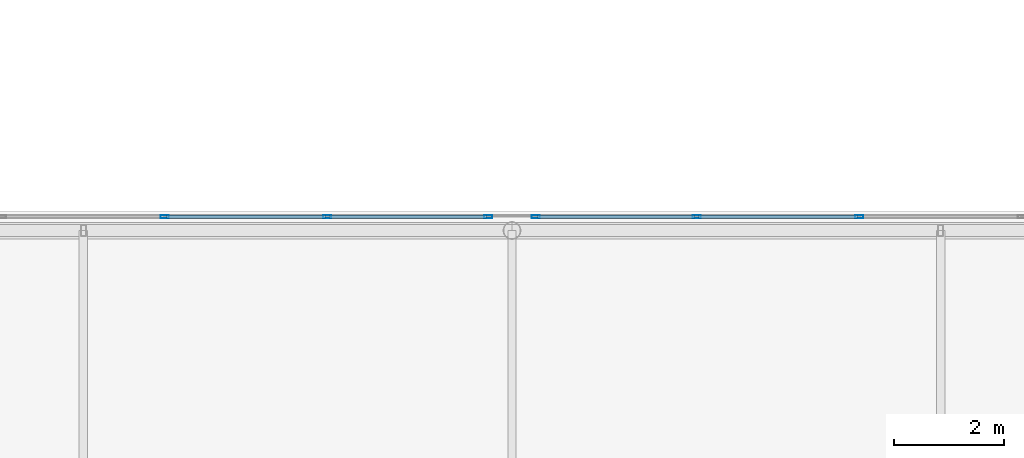
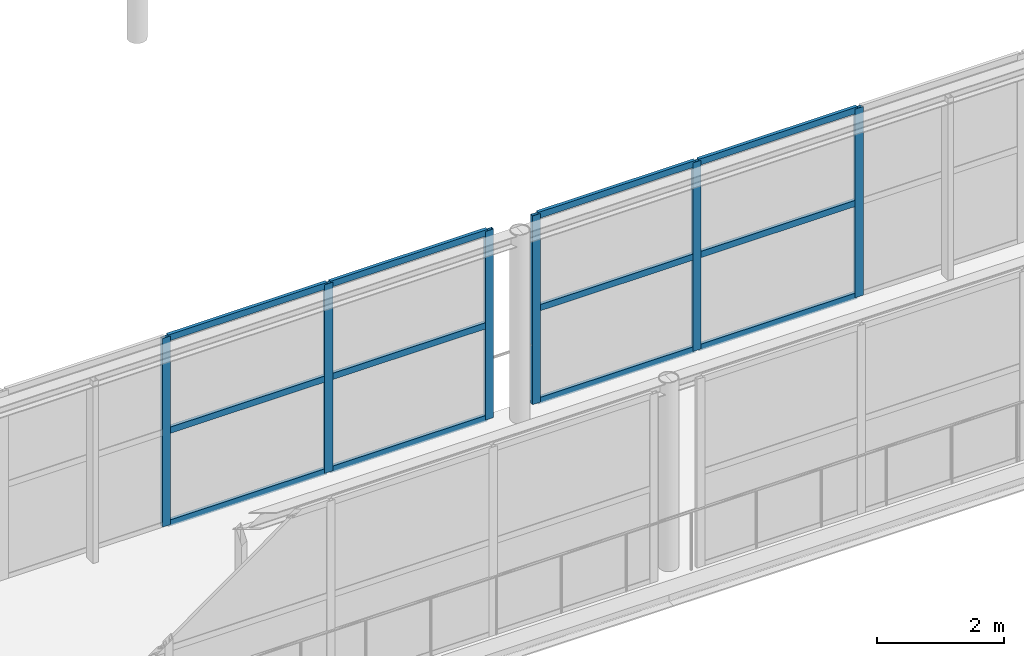
# One storey, part 80 of 175: 18 members, 2 elements without a shape of their own.
"""IFC4 building model written with IfcOpenShell, lengths in metres."""

from ifc_helpers import new_model, si_unit, direction, frame, origin, origin_2d, place, context, subcontext, project, spatial, hollow_rectangle, extrude, material, layer, layer_set, material_profile, profile_set, type_object, element, aggregate, save


model = new_model("IFC4")

# Units and contexts
model_context = context("Model", 3, precision=1e-05, world=origin(), true_north=direction((0.0, 1.0)))
body_context = subcontext(model_context, "Body", "Model", "MODEL_VIEW")
ifc_project = project(units=[si_unit("LENGTHUNIT", "METRE"), si_unit("AREAUNIT", "SQUARE_METRE"), si_unit("VOLUMEUNIT", "CUBIC_METRE"), si_unit("PLANEANGLEUNIT", "RADIAN"), si_unit("MASSUNIT", "GRAM", prefix="KILO")], contexts=[model_context])

# Site, building, storey
site_placement = place(None, origin())
site = spatial("IfcSite", under=ifc_project, at=site_placement, CompositionType="ELEMENT")
building_placement = place(site_placement, origin())
building = spatial("IfcBuilding", under=site, at=building_placement, Name="Zizhar Promenade General Hospital", CompositionType="ELEMENT")
storey_placement = place(building_placement, frame((0.0, 0.0, 4.800048828125)))
storey = spatial("IfcBuildingStorey", under=building, at=storey_placement, Name="L01", CompositionType="ELEMENT", Elevation=4.800048828125)

# Curtain wall, members
ifc_material_1 = material(Name="Anodised aluminium 6063-T6 and low-E glass", Category="aluminium")
ifc_layer = layer(ifc_material_1, 0.159912109375)
ifc_layer_set = layer_set([ifc_layer], Name="Anodised aluminium 6063-T6 and low-E glass")
curtain_wall_type = type_object("IfcCurtainWallType", Name="CW-SKY-GLZ", PredefinedType="NOTDEFINED", material=ifc_layer_set)
curtain_wall_1_placement = place(storey_placement, origin())
curtain_wall_1 = element("IfcCurtainWall", 1, at=curtain_wall_1_placement, inside=storey, type_object=curtain_wall_type, Name="Courtyard Clinical Skybridge Level L01 North Glazing 2", PredefinedType="NOTDEFINED")
ifc_material_2 = material(Name="Anodised aluminium 6063-T6", Category="aluminium")
ifc_material_profile_1 = material_profile(ifc_material_2, hollow_rectangle(XDim=0.06005859375, YDim=0.14990234375, WallThickness=0.00390625, at=origin_2d()))
ifc_profile_set_1 = profile_set([ifc_material_profile_1], Name="Anodised aluminium 6063-T6")
member_type_1 = type_object("IfcMemberType", Name="CWM-ALU-150x60", PredefinedType="MULLION", material=ifc_profile_set_1)
member_1_placement = place(storey_placement, frame((95.080078125, 65.89990234375, 0.0), z_axis=(0.0, 0.0, 1.0), x_axis=(0.0, 1.0, 0.0)))
member_1 = element("IfcMember", 2, at=member_1_placement, type_object=member_type_1, Name="CW-15 mullion 4", PredefinedType="MULLION", context=body_context, shape_type="SweptSolid", body=[
    extrude(hollow_rectangle(XDim=0.06005859375, YDim=0.14990234375, WallThickness=0.00390625, at=origin_2d()), origin(), (0.0, 0.0, 1.0), 3.639892578125),
])
member_2_placement = place(storey_placement, frame((98.0400390625, 65.89990234375, 0.0), z_axis=(0.0, 0.0, 1.0), x_axis=(0.0, 1.0, 0.0)))
member_2 = element("IfcMember", 3, at=member_2_placement, type_object=member_type_1, Name="CW-15 mullion 5", PredefinedType="MULLION", context=body_context, shape_type="SweptSolid", body=[
    extrude(hollow_rectangle(XDim=0.06005859375, YDim=0.14990234375, WallThickness=0.00390625, at=origin_2d()), origin(), (0.0, 0.0, 1.0), 3.639892578125),
])
member_3_placement = place(storey_placement, frame((100.969970703125, 65.89990234375, 0.0), z_axis=(0.0, 0.0, 1.0), x_axis=(0.0, 1.0, 0.0)))
member_3 = element("IfcMember", 4, at=member_3_placement, type_object=member_type_1, Name="CW-15 mullion 6", PredefinedType="MULLION", context=body_context, shape_type="SweptSolid", body=[
    extrude(hollow_rectangle(XDim=0.06005859375, YDim=0.14990234375, WallThickness=0.00390625, at=origin_2d()), origin(), (0.0, 0.0, 1.0), 3.639892578125),
])

curtain_wall_2_placement = place(storey_placement, origin())
curtain_wall_2 = element("IfcCurtainWall", 5, at=curtain_wall_2_placement, inside=storey, type_object=curtain_wall_type, Name="Courtyard Clinical Skybridge Level L01 North Glazing 3", PredefinedType="NOTDEFINED")
member_4_placement = place(storey_placement, frame((101.830078125, 65.89990234375, 0.0), z_axis=(0.0, 0.0, 1.0), x_axis=(0.0, 1.0, 0.0)))
member_4 = element("IfcMember", 6, at=member_4_placement, type_object=member_type_1, Name="CW-15 mullion 1", PredefinedType="MULLION", context=body_context, shape_type="SweptSolid", body=[
    extrude(hollow_rectangle(XDim=0.06005859375, YDim=0.14990234375, WallThickness=0.00390625, at=origin_2d()), origin(), (0.0, 0.0, 1.0), 3.639892578125),
])
member_5_placement = place(storey_placement, frame((104.760009765625, 65.89990234375, 0.0), z_axis=(0.0, 0.0, 1.0), x_axis=(0.0, 1.0, 0.0)))
member_5 = element("IfcMember", 7, at=member_5_placement, type_object=member_type_1, Name="CW-15 mullion 2", PredefinedType="MULLION", context=body_context, shape_type="SweptSolid", body=[
    extrude(hollow_rectangle(XDim=0.06005859375, YDim=0.14990234375, WallThickness=0.00390625, at=origin_2d()), origin(), (0.0, 0.0, 1.0), 3.639892578125),
])
member_6_placement = place(storey_placement, frame((107.719970703125, 65.89990234375, 0.0), z_axis=(0.0, 0.0, 1.0), x_axis=(0.0, 1.0, 0.0)))
member_6 = element("IfcMember", 8, at=member_6_placement, type_object=member_type_1, Name="CW-15 mullion 3", PredefinedType="MULLION", context=body_context, shape_type="SweptSolid", body=[
    extrude(hollow_rectangle(XDim=0.06005859375, YDim=0.14990234375, WallThickness=0.00390625, at=origin_2d()), origin(), (0.0, 0.0, 1.0), 3.639892578125),
])

# Member
ifc_material_3 = material(Name="Anodised aluminium 6063-T6", Category="aluminium")
ifc_material_profile_2 = material_profile(ifc_material_3, hollow_rectangle(XDim=0.06005859375, YDim=0.1201171875, WallThickness=0.00390625, at=origin_2d()))
ifc_profile_set_2 = profile_set([ifc_material_profile_2], Name="Anodised aluminium 6063-T6")
member_type_2 = type_object("IfcMemberType", Name="CWT-ALU-120x60", PredefinedType="USERDEFINED", material=ifc_profile_set_2)
member_7_placement = place(storey_placement, frame((95.110107421875, 65.89990234375, 0.030029296875), z_axis=(1.0, 0.0, 0.0), x_axis=(0.0, 1.0, 0.0)))
member_7 = element("IfcMember", 9, at=member_7_placement, type_object=member_type_2, Name="CW-15 transom 4.1", ObjectType="TRANSOM", PredefinedType="USERDEFINED", context=body_context, shape_type="SweptSolid", body=[
    extrude(hollow_rectangle(XDim=0.06005859375, YDim=0.1201171875, WallThickness=0.00390625, at=origin_2d()), origin(), (0.0, 0.0, 1.0), 2.89990234375),
])

member_8_placement = place(storey_placement, frame((95.110107421875, 65.89990234375, 1.820068359375), z_axis=(1.0, 0.0, 0.0), x_axis=(0.0, 1.0, 0.0)))
member_8 = element("IfcMember", 10, at=member_8_placement, type_object=member_type_2, Name="CW-15 transom 4.2", ObjectType="TRANSOM", PredefinedType="USERDEFINED", context=body_context, shape_type="SweptSolid", body=[
    extrude(hollow_rectangle(XDim=0.06005859375, YDim=0.1201171875, WallThickness=0.00390625, at=origin_2d()), origin(), (0.0, 0.0, 1.0), 2.89990234375),
])

member_9_placement = place(storey_placement, frame((95.110107421875, 65.89990234375, 3.60986328125), z_axis=(1.0, 0.0, 0.0), x_axis=(0.0, 1.0, 0.0)))
member_9 = element("IfcMember", 11, at=member_9_placement, type_object=member_type_2, Name="CW-15 transom 4.3", ObjectType="TRANSOM", PredefinedType="USERDEFINED", context=body_context, shape_type="SweptSolid", body=[
    extrude(hollow_rectangle(XDim=0.06005859375, YDim=0.1201171875, WallThickness=0.00390625, at=origin_2d()), origin(), (0.0, 0.0, 1.0), 2.89990234375),
])

member_10_placement = place(storey_placement, frame((98.070068359375, 65.89990234375, 0.030029296875), z_axis=(1.0, 0.0, 0.0), x_axis=(0.0, 1.0, 0.0)))
member_10 = element("IfcMember", 12, at=member_10_placement, type_object=member_type_2, Name="CW-15 transom 5.1", ObjectType="TRANSOM", PredefinedType="USERDEFINED", context=body_context, shape_type="SweptSolid", body=[
    extrude(hollow_rectangle(XDim=0.06005859375, YDim=0.1201171875, WallThickness=0.00390625, at=origin_2d()), origin(), (0.0, 0.0, 1.0), 2.869873046875),
])

member_11_placement = place(storey_placement, frame((98.070068359375, 65.89990234375, 1.820068359375), z_axis=(1.0, 0.0, 0.0), x_axis=(0.0, 1.0, 0.0)))
member_11 = element("IfcMember", 13, at=member_11_placement, type_object=member_type_2, Name="CW-15 transom 5.2", ObjectType="TRANSOM", PredefinedType="USERDEFINED", context=body_context, shape_type="SweptSolid", body=[
    extrude(hollow_rectangle(XDim=0.06005859375, YDim=0.1201171875, WallThickness=0.00390625, at=origin_2d()), origin(), (0.0, 0.0, 1.0), 2.869873046875),
])

member_12_placement = place(storey_placement, frame((98.070068359375, 65.89990234375, 3.60986328125), z_axis=(1.0, 0.0, 0.0), x_axis=(0.0, 1.0, 0.0)))
member_12 = element("IfcMember", 14, at=member_12_placement, type_object=member_type_2, Name="CW-15 transom 5.3", ObjectType="TRANSOM", PredefinedType="USERDEFINED", context=body_context, shape_type="SweptSolid", body=[
    extrude(hollow_rectangle(XDim=0.06005859375, YDim=0.1201171875, WallThickness=0.00390625, at=origin_2d()), origin(), (0.0, 0.0, 1.0), 2.869873046875),
])

aggregate(curtain_wall_1, [member_1, member_2, member_3, member_7, member_8, member_9, member_10, member_11, member_12])

member_13_placement = place(storey_placement, frame((101.860107421875, 65.89990234375, 0.030029296875), z_axis=(1.0, 0.0, 0.0), x_axis=(0.0, 1.0, 0.0)))
member_13 = element("IfcMember", 15, at=member_13_placement, type_object=member_type_2, Name="CW-15 transom 1.1", ObjectType="TRANSOM", PredefinedType="USERDEFINED", context=body_context, shape_type="SweptSolid", body=[
    extrude(hollow_rectangle(XDim=0.06005859375, YDim=0.1201171875, WallThickness=0.00390625, at=origin_2d()), origin(), (0.0, 0.0, 1.0), 2.869873046875),
])

member_14_placement = place(storey_placement, frame((101.860107421875, 65.89990234375, 1.820068359375), z_axis=(1.0, 0.0, 0.0), x_axis=(0.0, 1.0, 0.0)))
member_14 = element("IfcMember", 16, at=member_14_placement, type_object=member_type_2, Name="CW-15 transom 1.2", ObjectType="TRANSOM", PredefinedType="USERDEFINED", context=body_context, shape_type="SweptSolid", body=[
    extrude(hollow_rectangle(XDim=0.06005859375, YDim=0.1201171875, WallThickness=0.00390625, at=origin_2d()), origin(), (0.0, 0.0, 1.0), 2.869873046875),
])

member_15_placement = place(storey_placement, frame((101.860107421875, 65.89990234375, 3.60986328125), z_axis=(1.0, 0.0, 0.0), x_axis=(0.0, 1.0, 0.0)))
member_15 = element("IfcMember", 17, at=member_15_placement, type_object=member_type_2, Name="CW-15 transom 1.3", ObjectType="TRANSOM", PredefinedType="USERDEFINED", context=body_context, shape_type="SweptSolid", body=[
    extrude(hollow_rectangle(XDim=0.06005859375, YDim=0.1201171875, WallThickness=0.00390625, at=origin_2d()), origin(), (0.0, 0.0, 1.0), 2.869873046875),
])

member_16_placement = place(storey_placement, frame((104.7900390625, 65.89990234375, 0.030029296875), z_axis=(1.0, 0.0, 0.0), x_axis=(0.0, 1.0, 0.0)))
member_16 = element("IfcMember", 18, at=member_16_placement, type_object=member_type_2, Name="CW-15 transom 2.1", ObjectType="TRANSOM", PredefinedType="USERDEFINED", context=body_context, shape_type="SweptSolid", body=[
    extrude(hollow_rectangle(XDim=0.06005859375, YDim=0.1201171875, WallThickness=0.00390625, at=origin_2d()), origin(), (0.0, 0.0, 1.0), 2.89990234375),
])

member_17_placement = place(storey_placement, frame((104.7900390625, 65.89990234375, 1.820068359375), z_axis=(1.0, 0.0, 0.0), x_axis=(0.0, 1.0, 0.0)))
member_17 = element("IfcMember", 19, at=member_17_placement, type_object=member_type_2, Name="CW-15 transom 2.2", ObjectType="TRANSOM", PredefinedType="USERDEFINED", context=body_context, shape_type="SweptSolid", body=[
    extrude(hollow_rectangle(XDim=0.06005859375, YDim=0.1201171875, WallThickness=0.00390625, at=origin_2d()), origin(), (0.0, 0.0, 1.0), 2.89990234375),
])

member_18_placement = place(storey_placement, frame((104.7900390625, 65.89990234375, 3.60986328125), z_axis=(1.0, 0.0, 0.0), x_axis=(0.0, 1.0, 0.0)))
member_18 = element("IfcMember", 20, at=member_18_placement, type_object=member_type_2, Name="CW-15 transom 2.3", ObjectType="TRANSOM", PredefinedType="USERDEFINED", context=body_context, shape_type="SweptSolid", body=[
    extrude(hollow_rectangle(XDim=0.06005859375, YDim=0.1201171875, WallThickness=0.00390625, at=origin_2d()), origin(), (0.0, 0.0, 1.0), 2.89990234375),
])

aggregate(curtain_wall_2, [member_4, member_5, member_6, member_13, member_14, member_15, member_16, member_17, member_18])

save(model, "model.ifc")
